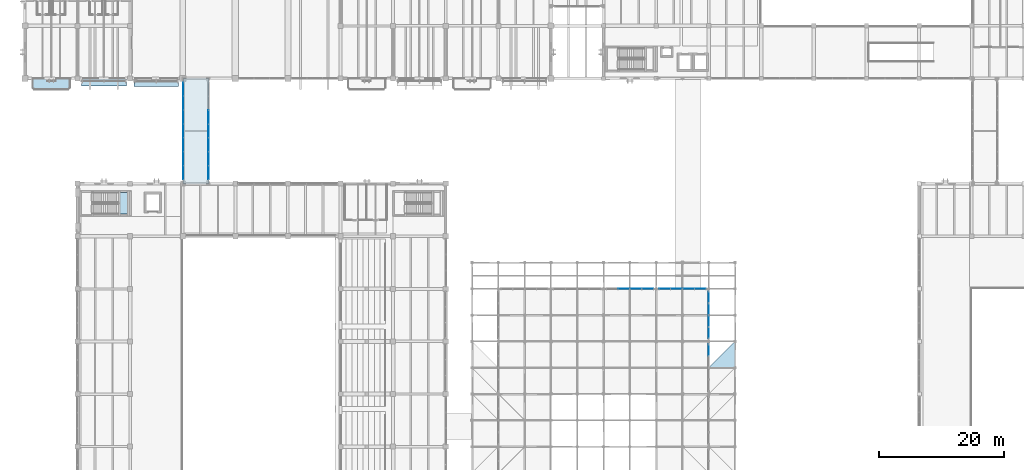
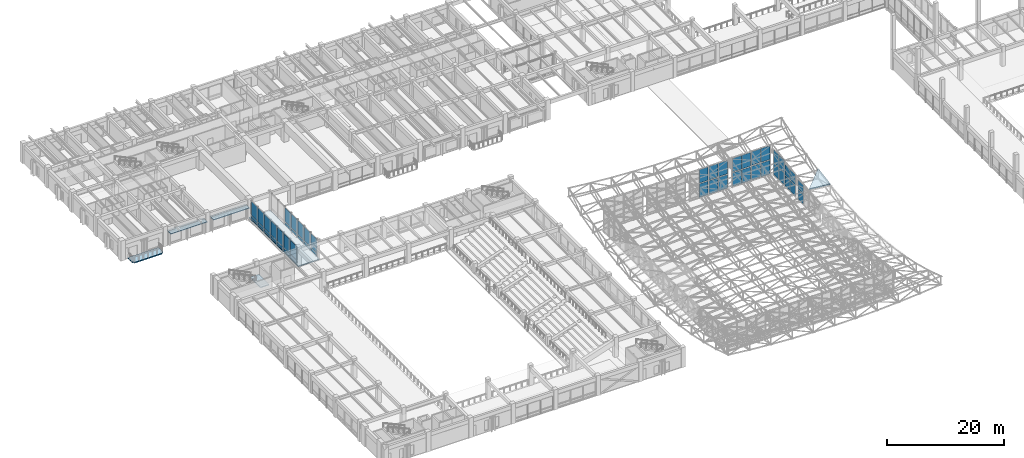
# One storey, part 65 of 132: 50 plates, 4 slabs, 12 elements without a shape of their own.
"""IFC4 building model written with IfcOpenShell, lengths in metres."""

from ifc_helpers import new_model, si_unit, direction, frame, origin, origin_2d, place, context, subcontext, project, spatial, polyline, rectangle, outline, extrude, material, layer, layer_set, type_object, element, aggregate, save


model = new_model("IFC4")

# Units and contexts
model_context = context("Model", 3, precision=1e-05, world=origin(), true_north=direction((0.0, 1.0)))
body_context = subcontext(model_context, "Body", "Model", "MODEL_VIEW")
ifc_project = project(units=[si_unit("LENGTHUNIT", "METRE"), si_unit("AREAUNIT", "SQUARE_METRE"), si_unit("VOLUMEUNIT", "CUBIC_METRE"), si_unit("PLANEANGLEUNIT", "RADIAN"), si_unit("MASSUNIT", "GRAM", prefix="KILO")], contexts=[model_context])

# Site, building, storey
site_placement = place(None, origin())
site = spatial("IfcSite", under=ifc_project, at=site_placement, CompositionType="ELEMENT")
building_placement = place(site_placement, origin())
building = spatial("IfcBuilding", under=site, at=building_placement, Name="Cumbredor Promenade Congress Hotel", CompositionType="ELEMENT")
storey_placement = place(building_placement, frame((0.0, 0.0, 7.56005859375)))
storey = spatial("IfcBuildingStorey", under=building, at=storey_placement, Name="L02", CompositionType="ELEMENT", Elevation=7.56005859375)

# Slab
ifc_material_1 = material(Name="Concrete C40/50", Category="concrete")
ifc_layer_1 = layer(ifc_material_1, 0.215087890625, Name="Concrete C40/50", Category="concrete")
ifc_layer_set_1 = layer_set([ifc_layer_1], Name="Concrete C40/50")
slab_type_1 = type_object("IfcSlabType", Name="Cantilevered Guestroom Balcony Slab 215mm", PredefinedType="FLOOR", material=ifc_layer_set_1)
slab_1_placement = place(storey_placement, frame((0.0, 0.0, -0.215087890625)))
element("IfcSlab", 1, at=slab_1_placement, inside=storey, type_object=slab_type_1, Name="L02 Cantilevered Guestroom Veranda Balcony 009", PredefinedType="FLOOR", context=body_context, shape_type="SweptSolid", body=[
    extrude(outline(polyline([(1.5, 82.14990234375), (6.89990234375, 82.14990234375), (7.25, 82.5), (7.25, 84.0), (1.14990234375, 84.0), (1.14990234375, 82.5), (1.5, 82.14990234375)])), origin(), (0.0, 0.0, 1.0), 0.215087890625),
])

# Curtain wall, plates
ifc_material_2 = material(Name="Thermally broken anodized aluminium and low-E glass", Category="aluminium")
curtain_wall_type_1 = type_object("IfcCurtainWallType", Name="Stepped Pavilion Clerestory Curtain Wall CW-06", PredefinedType="NOTDEFINED", material=ifc_material_2)
curtain_wall_1_placement = place(storey_placement, origin())
curtain_wall_1 = element("IfcCurtainWall", 2, at=curtain_wall_1_placement, inside=storey, type_object=curtain_wall_type_1, Name="Thermal Spa and Hydrotherapy Pavilion N Glazed Clerestory 5", PredefinedType="NOTDEFINED")
ifc_material_3 = material(Name="Laminated low-E solar-control glass", Category="glass")
ifc_layer_2 = layer(ifc_material_3, 0.031982421875, Name="Laminated low-E solar-control glass", Category="glass")
ifc_layer_set_2 = layer_set([ifc_layer_2], Name="Laminated low-E solar-control glass")
plate_type_1 = type_object("IfcPlateType", Name="Clerestory Glazed Vision Panel PNL-07", PredefinedType="CURTAIN_PANEL", material=ifc_layer_set_2)
plate_1_placement = place(storey_placement, frame((95.6298828125, 50.39990234375, 0.169921875), z_axis=(0.0, 0.0, 1.0), x_axis=(1.0, 0.0, 0.0)))
plate_1 = element("IfcPlate", 3, at=plate_1_placement, type_object=plate_type_1, Name="Thermal Spa and Hydrotherapy Pavilion N Glazed Clerestory 5 Glazing Panel 2.1", PredefinedType="CURTAIN_PANEL", context=body_context, shape_type="SweptSolid", body=[
    extrude(rectangle(XDim=1.77490234375, YDim=0.031982421875, at=origin_2d()), origin(), (0.0, 0.0, 1.0), 2.800048828125),
])
plate_2_placement = place(storey_placement, frame((95.6298828125, 50.39990234375, 3.14990234375), z_axis=(0.0, 0.0, 1.0), x_axis=(1.0, 0.0, 0.0)))
plate_2 = element("IfcPlate", 4, at=plate_2_placement, type_object=plate_type_1, Name="Thermal Spa and Hydrotherapy Pavilion N Glazed Clerestory 5 Glazing Panel 2.2", PredefinedType="CURTAIN_PANEL", context=body_context, shape_type="SweptSolid", body=[
    extrude(rectangle(XDim=1.77490234375, YDim=0.031982421875, at=origin_2d()), origin(), (0.0, 0.0, 1.0), 2.800048828125),
])
aggregate(curtain_wall_1, [plate_1, plate_2])

curtain_wall_2_placement = place(storey_placement, origin())
curtain_wall_2 = element("IfcCurtainWall", 5, at=curtain_wall_2_placement, inside=storey, type_object=curtain_wall_type_1, Name="Thermal Spa and Hydrotherapy Pavilion N Glazed Clerestory 6", PredefinedType="NOTDEFINED")
plate_3_placement = place(storey_placement, frame((97.570068359375, 50.39990234375, 0.169921875), z_axis=(0.0, 0.0, 1.0), x_axis=(1.0, 0.0, 0.0)))
plate_3 = element("IfcPlate", 6, at=plate_3_placement, type_object=plate_type_1, Name="Thermal Spa and Hydrotherapy Pavilion N Glazed Clerestory 6 Glazing Panel 1.1", PredefinedType="CURTAIN_PANEL", context=body_context, shape_type="SweptSolid", body=[
    extrude(rectangle(XDim=1.77490234375, YDim=0.031982421875, at=origin_2d()), origin(), (0.0, 0.0, 1.0), 2.81005859375),
])
plate_4_placement = place(storey_placement, frame((97.570068359375, 50.39990234375, 3.159912109375), z_axis=(0.0, 0.0, 1.0), x_axis=(1.0, 0.0, 0.0)))
plate_4 = element("IfcPlate", 7, at=plate_4_placement, type_object=plate_type_1, Name="Thermal Spa and Hydrotherapy Pavilion N Glazed Clerestory 6 Glazing Panel 1.2", PredefinedType="CURTAIN_PANEL", context=body_context, shape_type="SweptSolid", body=[
    extrude(rectangle(XDim=1.77490234375, YDim=0.031982421875, at=origin_2d()), origin(), (0.0, 0.0, 1.0), 2.81005859375),
])
plate_5_placement = place(storey_placement, frame((99.429931640625, 50.39990234375, 0.169921875), z_axis=(0.0, 0.0, 1.0), x_axis=(1.0, 0.0, 0.0)))
plate_5 = element("IfcPlate", 8, at=plate_5_placement, type_object=plate_type_1, Name="Thermal Spa and Hydrotherapy Pavilion N Glazed Clerestory 6 Glazing Panel 2.1", PredefinedType="CURTAIN_PANEL", context=body_context, shape_type="SweptSolid", body=[
    extrude(rectangle(XDim=1.77490234375, YDim=0.031982421875, at=origin_2d()), origin(), (0.0, 0.0, 1.0), 2.81005859375),
])
plate_6_placement = place(storey_placement, frame((99.429931640625, 50.39990234375, 3.159912109375), z_axis=(0.0, 0.0, 1.0), x_axis=(1.0, 0.0, 0.0)))
plate_6 = element("IfcPlate", 9, at=plate_6_placement, type_object=plate_type_1, Name="Thermal Spa and Hydrotherapy Pavilion N Glazed Clerestory 6 Glazing Panel 2.2", PredefinedType="CURTAIN_PANEL", context=body_context, shape_type="SweptSolid", body=[
    extrude(rectangle(XDim=1.77490234375, YDim=0.031982421875, at=origin_2d()), origin(), (0.0, 0.0, 1.0), 2.81005859375),
])
aggregate(curtain_wall_2, [plate_3, plate_4, plate_5, plate_6])

curtain_wall_3_placement = place(storey_placement, origin())
curtain_wall_3 = element("IfcCurtainWall", 10, at=curtain_wall_3_placement, inside=storey, type_object=curtain_wall_type_1, Name="Thermal Spa and Hydrotherapy Pavilion N Glazed Clerestory 7", PredefinedType="NOTDEFINED")
plate_7_placement = place(storey_placement, frame((102.169921875, 50.39990234375, 0.169921875), z_axis=(0.0, 0.0, 1.0), x_axis=(1.0, 0.0, 0.0)))
plate_7 = element("IfcPlate", 11, at=plate_7_placement, type_object=plate_type_1, Name="Thermal Spa and Hydrotherapy Pavilion N Glazed Clerestory 7 Glazing Panel 1.1", PredefinedType="CURTAIN_PANEL", context=body_context, shape_type="SweptSolid", body=[
    extrude(rectangle(XDim=1.77490234375, YDim=0.031982421875, at=origin_2d()), origin(), (0.0, 0.0, 1.0), 2.830078125),
])
plate_8_placement = place(storey_placement, frame((102.169921875, 50.39990234375, 3.1796875), z_axis=(0.0, 0.0, 1.0), x_axis=(1.0, 0.0, 0.0)))
plate_8 = element("IfcPlate", 12, at=plate_8_placement, type_object=plate_type_1, Name="Thermal Spa and Hydrotherapy Pavilion N Glazed Clerestory 7 Glazing Panel 1.2", PredefinedType="CURTAIN_PANEL", context=body_context, shape_type="SweptSolid", body=[
    extrude(rectangle(XDim=1.77490234375, YDim=0.031982421875, at=origin_2d()), origin(), (0.0, 0.0, 1.0), 2.840087890625),
])
plate_9_placement = place(storey_placement, frame((104.030029296875, 50.39990234375, 0.169921875), z_axis=(0.0, 0.0, 1.0), x_axis=(1.0, 0.0, 0.0)))
plate_9 = element("IfcPlate", 13, at=plate_9_placement, type_object=plate_type_1, Name="Thermal Spa and Hydrotherapy Pavilion N Glazed Clerestory 7 Glazing Panel 2.1", PredefinedType="CURTAIN_PANEL", context=body_context, shape_type="SweptSolid", body=[
    extrude(rectangle(XDim=1.77490234375, YDim=0.031982421875, at=origin_2d()), origin(), (0.0, 0.0, 1.0), 2.830078125),
])
plate_10_placement = place(storey_placement, frame((104.030029296875, 50.39990234375, 3.1796875), z_axis=(0.0, 0.0, 1.0), x_axis=(1.0, 0.0, 0.0)))
plate_10 = element("IfcPlate", 14, at=plate_10_placement, type_object=plate_type_1, Name="Thermal Spa and Hydrotherapy Pavilion N Glazed Clerestory 7 Glazing Panel 2.2", PredefinedType="CURTAIN_PANEL", context=body_context, shape_type="SweptSolid", body=[
    extrude(rectangle(XDim=1.77490234375, YDim=0.031982421875, at=origin_2d()), origin(), (0.0, 0.0, 1.0), 2.840087890625),
])
aggregate(curtain_wall_3, [plate_7, plate_8, plate_9, plate_10])

curtain_wall_4_placement = place(storey_placement, origin())
curtain_wall_4 = element("IfcCurtainWall", 15, at=curtain_wall_4_placement, inside=storey, type_object=curtain_wall_type_1, Name="Thermal Spa and Hydrotherapy Pavilion N Glazed Clerestory 8", PredefinedType="NOTDEFINED")
plate_11_placement = place(storey_placement, frame((105.969970703125, 50.39990234375, 0.169921875), z_axis=(0.0, 0.0, 1.0), x_axis=(1.0, 0.0, 0.0)))
plate_11 = element("IfcPlate", 16, at=plate_11_placement, type_object=plate_type_1, Name="Thermal Spa and Hydrotherapy Pavilion N Glazed Clerestory 8 Glazing Panel 1.1", PredefinedType="CURTAIN_PANEL", context=body_context, shape_type="SweptSolid", body=[
    extrude(rectangle(XDim=1.77490234375, YDim=0.031982421875, at=origin_2d()), origin(), (0.0, 0.0, 1.0), 2.8798828125),
])
plate_12_placement = place(storey_placement, frame((105.969970703125, 50.39990234375, 3.22998046875), z_axis=(0.0, 0.0, 1.0), x_axis=(1.0, 0.0, 0.0)))
plate_12 = element("IfcPlate", 17, at=plate_12_placement, type_object=plate_type_1, Name="Thermal Spa and Hydrotherapy Pavilion N Glazed Clerestory 8 Glazing Panel 1.2", PredefinedType="CURTAIN_PANEL", context=body_context, shape_type="SweptSolid", body=[
    extrude(rectangle(XDim=1.77490234375, YDim=0.031982421875, at=origin_2d()), origin(), (0.0, 0.0, 1.0), 2.8798828125),
])
plate_13_placement = place(storey_placement, frame((107.830078125, 50.39990234375, 0.169921875), z_axis=(0.0, 0.0, 1.0), x_axis=(1.0, 0.0, 0.0)))
plate_13 = element("IfcPlate", 18, at=plate_13_placement, type_object=plate_type_1, Name="Thermal Spa and Hydrotherapy Pavilion N Glazed Clerestory 8 Glazing Panel 2.1", PredefinedType="CURTAIN_PANEL", context=body_context, shape_type="SweptSolid", body=[
    extrude(rectangle(XDim=1.77490234375, YDim=0.031982421875, at=origin_2d()), origin(), (0.0, 0.0, 1.0), 2.8798828125),
])
plate_14_placement = place(storey_placement, frame((107.830078125, 50.39990234375, 3.22998046875), z_axis=(0.0, 0.0, 1.0), x_axis=(1.0, 0.0, 0.0)))
plate_14 = element("IfcPlate", 19, at=plate_14_placement, type_object=plate_type_1, Name="Thermal Spa and Hydrotherapy Pavilion N Glazed Clerestory 8 Glazing Panel 2.2", PredefinedType="CURTAIN_PANEL", context=body_context, shape_type="SweptSolid", body=[
    extrude(rectangle(XDim=1.77490234375, YDim=0.031982421875, at=origin_2d()), origin(), (0.0, 0.0, 1.0), 2.8798828125),
])
aggregate(curtain_wall_4, [plate_11, plate_12, plate_13, plate_14])

curtain_wall_5_placement = place(storey_placement, origin())
curtain_wall_5 = element("IfcCurtainWall", 20, at=curtain_wall_5_placement, inside=storey, type_object=curtain_wall_type_1, Name="Thermal Spa and Hydrotherapy Pavilion E Glazed Clerestory 8", PredefinedType="NOTDEFINED")
plate_15_placement = place(storey_placement, frame((109.199951171875, 40.6298828125, 0.169921875), z_axis=(0.0, 0.0, 1.0), x_axis=(0.0, 1.0, 0.0)))
plate_15 = element("IfcPlate", 21, at=plate_15_placement, type_object=plate_type_1, Name="Thermal Spa and Hydrotherapy Pavilion E Glazed Clerestory 8 Glazing Panel 2.1", PredefinedType="CURTAIN_PANEL", context=body_context, shape_type="SweptSolid", body=[
    extrude(rectangle(XDim=1.77490234375, YDim=0.031982421875, at=origin_2d()), origin(), (0.0, 0.0, 1.0), 1.8798828125),
])
plate_16_placement = place(storey_placement, frame((109.199951171875, 40.6298828125, 2.22998046875), z_axis=(0.0, 0.0, 1.0), x_axis=(0.0, 1.0, 0.0)))
plate_16 = element("IfcPlate", 22, at=plate_16_placement, type_object=plate_type_1, Name="Thermal Spa and Hydrotherapy Pavilion E Glazed Clerestory 8 Glazing Panel 2.2", PredefinedType="CURTAIN_PANEL", context=body_context, shape_type="SweptSolid", body=[
    extrude(rectangle(XDim=1.77490234375, YDim=0.031982421875, at=origin_2d()), origin(), (0.0, 0.0, 1.0), 1.8798828125),
])
aggregate(curtain_wall_5, [plate_15, plate_16])

curtain_wall_6_placement = place(storey_placement, origin())
curtain_wall_6 = element("IfcCurtainWall", 23, at=curtain_wall_6_placement, inside=storey, type_object=curtain_wall_type_1, Name="Thermal Spa and Hydrotherapy Pavilion E Glazed Clerestory 9", PredefinedType="NOTDEFINED")
plate_17_placement = place(storey_placement, frame((109.199951171875, 43.3701171875, 0.169921875), z_axis=(0.0, 0.0, 1.0), x_axis=(0.0, 1.0, 0.0)))
plate_17 = element("IfcPlate", 24, at=plate_17_placement, type_object=plate_type_1, Name="Thermal Spa and Hydrotherapy Pavilion E Glazed Clerestory 9 Glazing Panel 1.1", PredefinedType="CURTAIN_PANEL", context=body_context, shape_type="SweptSolid", body=[
    extrude(rectangle(XDim=1.77490234375, YDim=0.031982421875, at=origin_2d()), origin(), (0.0, 0.0, 1.0), 2.139892578125),
])
plate_18_placement = place(storey_placement, frame((109.199951171875, 43.3701171875, 2.489990234375), z_axis=(0.0, 0.0, 1.0), x_axis=(0.0, 1.0, 0.0)))
plate_18 = element("IfcPlate", 25, at=plate_18_placement, type_object=plate_type_1, Name="Thermal Spa and Hydrotherapy Pavilion E Glazed Clerestory 9 Glazing Panel 1.2", PredefinedType="CURTAIN_PANEL", context=body_context, shape_type="SweptSolid", body=[
    extrude(rectangle(XDim=1.77490234375, YDim=0.031982421875, at=origin_2d()), origin(), (0.0, 0.0, 1.0), 2.14990234375),
])
plate_19_placement = place(storey_placement, frame((109.199951171875, 45.22998046875, 0.169921875), z_axis=(0.0, 0.0, 1.0), x_axis=(0.0, 1.0, 0.0)))
plate_19 = element("IfcPlate", 26, at=plate_19_placement, type_object=plate_type_1, Name="Thermal Spa and Hydrotherapy Pavilion E Glazed Clerestory 9 Glazing Panel 2.1", PredefinedType="CURTAIN_PANEL", context=body_context, shape_type="SweptSolid", body=[
    extrude(rectangle(XDim=1.77490234375, YDim=0.031982421875, at=origin_2d()), origin(), (0.0, 0.0, 1.0), 2.139892578125),
])
plate_20_placement = place(storey_placement, frame((109.199951171875, 45.22998046875, 2.489990234375), z_axis=(0.0, 0.0, 1.0), x_axis=(0.0, 1.0, 0.0)))
plate_20 = element("IfcPlate", 27, at=plate_20_placement, type_object=plate_type_1, Name="Thermal Spa and Hydrotherapy Pavilion E Glazed Clerestory 9 Glazing Panel 2.2", PredefinedType="CURTAIN_PANEL", context=body_context, shape_type="SweptSolid", body=[
    extrude(rectangle(XDim=1.77490234375, YDim=0.031982421875, at=origin_2d()), origin(), (0.0, 0.0, 1.0), 2.14990234375),
])
aggregate(curtain_wall_6, [plate_17, plate_18, plate_19, plate_20])

curtain_wall_7_placement = place(storey_placement, origin())
curtain_wall_7 = element("IfcCurtainWall", 28, at=curtain_wall_7_placement, inside=storey, type_object=curtain_wall_type_1, Name="Thermal Spa and Hydrotherapy Pavilion E Glazed Clerestory 10", PredefinedType="NOTDEFINED")
plate_21_placement = place(storey_placement, frame((109.199951171875, 47.169921875, 0.169921875), z_axis=(0.0, 0.0, 1.0), x_axis=(0.0, 1.0, 0.0)))
plate_21 = element("IfcPlate", 29, at=plate_21_placement, type_object=plate_type_1, Name="Thermal Spa and Hydrotherapy Pavilion E Glazed Clerestory 10 Glazing Panel 1.1", PredefinedType="CURTAIN_PANEL", context=body_context, shape_type="SweptSolid", body=[
    extrude(rectangle(XDim=1.77490234375, YDim=0.031982421875, at=origin_2d()), origin(), (0.0, 0.0, 1.0), 2.489990234375),
])
plate_22_placement = place(storey_placement, frame((109.199951171875, 47.169921875, 2.83984375), z_axis=(0.0, 0.0, 1.0), x_axis=(0.0, 1.0, 0.0)))
plate_22 = element("IfcPlate", 30, at=plate_22_placement, type_object=plate_type_1, Name="Thermal Spa and Hydrotherapy Pavilion E Glazed Clerestory 10 Glazing Panel 1.2", PredefinedType="CURTAIN_PANEL", context=body_context, shape_type="SweptSolid", body=[
    extrude(rectangle(XDim=1.77490234375, YDim=0.031982421875, at=origin_2d()), origin(), (0.0, 0.0, 1.0), 2.5),
])
plate_23_placement = place(storey_placement, frame((109.199951171875, 49.030029296875, 0.169921875), z_axis=(0.0, 0.0, 1.0), x_axis=(0.0, 1.0, 0.0)))
plate_23 = element("IfcPlate", 31, at=plate_23_placement, type_object=plate_type_1, Name="Thermal Spa and Hydrotherapy Pavilion E Glazed Clerestory 10 Glazing Panel 2.1", PredefinedType="CURTAIN_PANEL", context=body_context, shape_type="SweptSolid", body=[
    extrude(rectangle(XDim=1.77490234375, YDim=0.031982421875, at=origin_2d()), origin(), (0.0, 0.0, 1.0), 2.489990234375),
])
plate_24_placement = place(storey_placement, frame((109.199951171875, 49.030029296875, 2.83984375), z_axis=(0.0, 0.0, 1.0), x_axis=(0.0, 1.0, 0.0)))
plate_24 = element("IfcPlate", 32, at=plate_24_placement, type_object=plate_type_1, Name="Thermal Spa and Hydrotherapy Pavilion E Glazed Clerestory 10 Glazing Panel 2.2", PredefinedType="CURTAIN_PANEL", context=body_context, shape_type="SweptSolid", body=[
    extrude(rectangle(XDim=1.77490234375, YDim=0.031982421875, at=origin_2d()), origin(), (0.0, 0.0, 1.0), 2.5),
])
aggregate(curtain_wall_7, [plate_21, plate_22, plate_23, plate_24])

# Stair, slab
stair_type = type_object("IfcStairType", Name="Protected Dog-Leg Exit Stair ST-T3 1650mm", PredefinedType="HALF_TURN_STAIR", material=ifc_material_1)
stair_placement = place(storey_placement, origin())
stair = element("IfcStair", 33, at=stair_placement, inside=storey, type_object=stair_type, Name="L02 Protected Exit Stair ST-06", PredefinedType="HALF_TURN_STAIR")
ifc_layer_3 = layer(ifc_material_1, 0.199951171875, Name="Concrete C40/50", Category="concrete")
ifc_layer_set_3 = layer_set([ifc_layer_3], Name="Concrete C40/50")
slab_type_2 = type_object("IfcSlabType", Name="Concrete Stair Landing Slab 200mm", PredefinedType="LANDING", material=ifc_layer_set_3)
slab_2_placement = place(storey_placement, frame((0.0, 0.0, 1.89990234375)))
slab_2 = element("IfcSlab", 34, at=slab_2_placement, type_object=slab_type_2, Name="ST-06 landing 1", PredefinedType="LANDING", context=body_context, shape_type="SweptSolid", body=[
    extrude(outline(polyline([(14.949951171875, 62.35009765625), (16.64990234375, 62.35009765625), (16.64990234375, 65.800048828125), (14.949951171875, 65.800048828125), (14.949951171875, 62.35009765625)])), origin(), (0.0, 0.0, 1.0), 0.199951171875),
])
aggregate(stair, [slab_2])

# Curtain wall, plates
curtain_wall_type_2 = type_object("IfcCurtainWallType", Name="Unitised Bridge Glazing Screen CW-05", PredefinedType="NOTDEFINED", material=ifc_material_2)
curtain_wall_8_placement = place(storey_placement, origin())
curtain_wall_8 = element("IfcCurtainWall", 35, at=curtain_wall_8_placement, inside=storey, type_object=curtain_wall_type_2, Name="L02 West Congress-to-Hotel Glazed Bridge West Glazing Screen", PredefinedType="NOTDEFINED")
ifc_layer_4 = layer(ifc_material_3, 0.030029296875, Name="Laminated low-E solar-control glass", Category="glass")
ifc_layer_set_4 = layer_set([ifc_layer_4], Name="Laminated low-E solar-control glass")
plate_type_2 = type_object("IfcPlateType", Name="Glazed Bridge Panel PNL-04", PredefinedType="CURTAIN_PANEL", material=ifc_layer_set_4)
plate_25_placement = place(storey_placement, frame((25.280029296875, 68.9658203125, 0.78515625), z_axis=(0.0, 0.0, 1.0), x_axis=(0.0, 1.0, 0.0)))
plate_25 = element("IfcPlate", 36, at=plate_25_placement, type_object=plate_type_2, Name="L02 West Congress-to-Hotel Glazed Bridge West Glazing Screen Glazing Panel 1.2", PredefinedType="CURTAIN_PANEL", context=body_context, shape_type="SweptSolid", body=[
    extrude(rectangle(XDim=2.146484375, YDim=0.030029296875, at=origin_2d()), origin(), (0.0, 0.0, 1.0), 2.909912109375),
])
plate_26_placement = place(storey_placement, frame((25.280029296875, 71.177001953125, 0.78515625), z_axis=(0.0, 0.0, 1.0), x_axis=(0.0, 1.0, 0.0)))
plate_26 = element("IfcPlate", 37, at=plate_26_placement, type_object=plate_type_2, Name="L02 West Congress-to-Hotel Glazed Bridge West Glazing Screen Glazing Panel 2.2", PredefinedType="CURTAIN_PANEL", context=body_context, shape_type="SweptSolid", body=[
    extrude(rectangle(XDim=2.146484375, YDim=0.030029296875, at=origin_2d()), origin(), (0.0, 0.0, 1.0), 2.909912109375),
])
plate_27_placement = place(storey_placement, frame((25.280029296875, 73.388671875, 0.78515625), z_axis=(0.0, 0.0, 1.0), x_axis=(0.0, 1.0, 0.0)))
plate_27 = element("IfcPlate", 38, at=plate_27_placement, type_object=plate_type_2, Name="L02 West Congress-to-Hotel Glazed Bridge West Glazing Screen Glazing Panel 3.2", PredefinedType="CURTAIN_PANEL", context=body_context, shape_type="SweptSolid", body=[
    extrude(rectangle(XDim=2.146484375, YDim=0.030029296875, at=origin_2d()), origin(), (0.0, 0.0, 1.0), 2.909912109375),
])
plate_28_placement = place(storey_placement, frame((25.280029296875, 75.60009765625, 0.78515625), z_axis=(0.0, 0.0, 1.0), x_axis=(0.0, 1.0, 0.0)))
plate_28 = element("IfcPlate", 39, at=plate_28_placement, type_object=plate_type_2, Name="L02 West Congress-to-Hotel Glazed Bridge West Glazing Screen Glazing Panel 4.2", PredefinedType="CURTAIN_PANEL", context=body_context, shape_type="SweptSolid", body=[
    extrude(rectangle(XDim=2.146484375, YDim=0.030029296875, at=origin_2d()), origin(), (0.0, 0.0, 1.0), 2.909912109375),
])
plate_29_placement = place(storey_placement, frame((25.280029296875, 77.811279296875, 0.78515625), z_axis=(0.0, 0.0, 1.0), x_axis=(0.0, 1.0, 0.0)))
plate_29 = element("IfcPlate", 40, at=plate_29_placement, type_object=plate_type_2, Name="L02 West Congress-to-Hotel Glazed Bridge West Glazing Screen Glazing Panel 5.2", PredefinedType="CURTAIN_PANEL", context=body_context, shape_type="SweptSolid", body=[
    extrude(rectangle(XDim=2.146484375, YDim=0.030029296875, at=origin_2d()), origin(), (0.0, 0.0, 1.0), 2.909912109375),
])
plate_30_placement = place(storey_placement, frame((25.280029296875, 80.02294921875, 0.78515625), z_axis=(0.0, 0.0, 1.0), x_axis=(0.0, 1.0, 0.0)))
plate_30 = element("IfcPlate", 41, at=plate_30_placement, type_object=plate_type_2, Name="L02 West Congress-to-Hotel Glazed Bridge West Glazing Screen Glazing Panel 6.2", PredefinedType="CURTAIN_PANEL", context=body_context, shape_type="SweptSolid", body=[
    extrude(rectangle(XDim=2.146484375, YDim=0.030029296875, at=origin_2d()), origin(), (0.0, 0.0, 1.0), 2.909912109375),
])
plate_31_placement = place(storey_placement, frame((25.280029296875, 82.234375, 0.78515625), z_axis=(0.0, 0.0, 1.0), x_axis=(0.0, 1.0, 0.0)))
plate_31 = element("IfcPlate", 42, at=plate_31_placement, type_object=plate_type_2, Name="L02 West Congress-to-Hotel Glazed Bridge West Glazing Screen Glazing Panel 7.2", PredefinedType="CURTAIN_PANEL", context=body_context, shape_type="SweptSolid", body=[
    extrude(rectangle(XDim=2.146484375, YDim=0.030029296875, at=origin_2d()), origin(), (0.0, 0.0, 1.0), 2.909912109375),
])

curtain_wall_9_placement = place(storey_placement, origin())
curtain_wall_9 = element("IfcCurtainWall", 43, at=curtain_wall_9_placement, inside=storey, type_object=curtain_wall_type_2, Name="L02 West Congress-to-Hotel Glazed Bridge East Glazing Screen", PredefinedType="NOTDEFINED")
plate_32_placement = place(storey_placement, frame((29.320068359375, 68.9658203125, 0.78515625), z_axis=(0.0, 0.0, 1.0), x_axis=(0.0, 1.0, 0.0)))
plate_32 = element("IfcPlate", 44, at=plate_32_placement, type_object=plate_type_2, Name="L02 West Congress-to-Hotel Glazed Bridge East Glazing Screen Glazing Panel 1.2", PredefinedType="CURTAIN_PANEL", context=body_context, shape_type="SweptSolid", body=[
    extrude(rectangle(XDim=2.146484375, YDim=0.030029296875, at=origin_2d()), origin(), (0.0, 0.0, 1.0), 2.909912109375),
])
plate_33_placement = place(storey_placement, frame((29.320068359375, 71.177001953125, 0.78515625), z_axis=(0.0, 0.0, 1.0), x_axis=(0.0, 1.0, 0.0)))
plate_33 = element("IfcPlate", 45, at=plate_33_placement, type_object=plate_type_2, Name="L02 West Congress-to-Hotel Glazed Bridge East Glazing Screen Glazing Panel 2.2", PredefinedType="CURTAIN_PANEL", context=body_context, shape_type="SweptSolid", body=[
    extrude(rectangle(XDim=2.146484375, YDim=0.030029296875, at=origin_2d()), origin(), (0.0, 0.0, 1.0), 2.909912109375),
])
plate_34_placement = place(storey_placement, frame((29.320068359375, 73.388671875, 0.78515625), z_axis=(0.0, 0.0, 1.0), x_axis=(0.0, 1.0, 0.0)))
plate_34 = element("IfcPlate", 46, at=plate_34_placement, type_object=plate_type_2, Name="L02 West Congress-to-Hotel Glazed Bridge East Glazing Screen Glazing Panel 3.2", PredefinedType="CURTAIN_PANEL", context=body_context, shape_type="SweptSolid", body=[
    extrude(rectangle(XDim=2.146484375, YDim=0.030029296875, at=origin_2d()), origin(), (0.0, 0.0, 1.0), 2.909912109375),
])
plate_35_placement = place(storey_placement, frame((29.320068359375, 75.60009765625, 0.78515625), z_axis=(0.0, 0.0, 1.0), x_axis=(0.0, 1.0, 0.0)))
plate_35 = element("IfcPlate", 47, at=plate_35_placement, type_object=plate_type_2, Name="L02 West Congress-to-Hotel Glazed Bridge East Glazing Screen Glazing Panel 4.2", PredefinedType="CURTAIN_PANEL", context=body_context, shape_type="SweptSolid", body=[
    extrude(rectangle(XDim=2.146484375, YDim=0.030029296875, at=origin_2d()), origin(), (0.0, 0.0, 1.0), 2.909912109375),
])
plate_36_placement = place(storey_placement, frame((29.320068359375, 77.811279296875, 0.78515625), z_axis=(0.0, 0.0, 1.0), x_axis=(0.0, 1.0, 0.0)))
plate_36 = element("IfcPlate", 48, at=plate_36_placement, type_object=plate_type_2, Name="L02 West Congress-to-Hotel Glazed Bridge East Glazing Screen Glazing Panel 5.2", PredefinedType="CURTAIN_PANEL", context=body_context, shape_type="SweptSolid", body=[
    extrude(rectangle(XDim=2.146484375, YDim=0.030029296875, at=origin_2d()), origin(), (0.0, 0.0, 1.0), 2.909912109375),
])

# Curtain wall, plate
curtain_wall_type_3 = type_object("IfcCurtainWallType", Name="Solar Brise-Soleil Screen Assembly CW-07", PredefinedType="NOTDEFINED", material=ifc_material_2)
curtain_wall_10_placement = place(storey_placement, origin())
curtain_wall_10 = element("IfcCurtainWall", 49, at=curtain_wall_10_placement, inside=storey, type_object=curtain_wall_type_3, Name="L02 Hospitality Brise-Soleil Screen 039", PredefinedType="NOTDEFINED")
ifc_material_4 = material(Name="Precast concrete C40/50", Category="concrete")
ifc_layer_5 = layer(ifc_material_4, 0.14501953125, Name="Precast concrete C40/50", Category="concrete")
ifc_layer_set_5 = layer_set([ifc_layer_5], Name="Precast concrete C40/50")
plate_type_3 = type_object("IfcPlateType", Name="Horizontal Precast Sun-Hood Eyebrow Plate 145mm", PredefinedType="USERDEFINED", material=ifc_layer_set_5)
plate_37_placement = place(storey_placement, frame((12.60009765625, 83.419921875, 2.824951171875), z_axis=(0.0, 0.0, 1.0), x_axis=(1.0, 0.0, 0.0)))
plate_37 = element("IfcPlate", 50, at=plate_37_placement, type_object=plate_type_3, Name="L02 Horizontal Sun-Hood Eyebrow 039", ObjectType="SUN HOOD", PredefinedType="USERDEFINED", context=body_context, shape_type="SweptSolid", body=[
    extrude(rectangle(XDim=7.197998046875, YDim=1.320068359375, at=origin_2d()), origin(), (0.0, 0.0, 1.0), 0.14501953125),
])
aggregate(curtain_wall_10, [plate_37])

curtain_wall_11_placement = place(storey_placement, origin())
curtain_wall_11 = element("IfcCurtainWall", 51, at=curtain_wall_11_placement, inside=storey, type_object=curtain_wall_type_3, Name="L02 Hospitality Brise-Soleil Screen 040", PredefinedType="NOTDEFINED")
plate_38_placement = place(storey_placement, frame((20.949951171875, 83.40869140625, 2.824951171875), z_axis=(0.0, 0.0, 1.0), x_axis=(1.0, 0.0, 0.0)))
plate_38 = element("IfcPlate", 52, at=plate_38_placement, type_object=plate_type_3, Name="L02 Horizontal Sun-Hood Eyebrow 040", ObjectType="SUN HOOD", PredefinedType="USERDEFINED", context=body_context, shape_type="SweptSolid", body=[
    extrude(rectangle(XDim=7.097900390625, YDim=1.342529296875, at=origin_2d()), origin(), (0.0, 0.0, 1.0), 0.14501953125),
])
aggregate(curtain_wall_11, [plate_38])

# Plate
ifc_material_5 = material(Name="Thermally broken anodized aluminium", Category="aluminium")
ifc_layer_6 = layer(ifc_material_5, 0.0400390625, Name="Thermally broken anodized aluminium", Category="aluminium")
ifc_layer_set_6 = layer_set([ifc_layer_6], Name="Thermally broken anodized aluminium")
plate_type_4 = type_object("IfcPlateType", Name="Insulated Spandrel Panel PNL-06", PredefinedType="CURTAIN_PANEL", material=ifc_layer_set_6)
plate_39_placement = place(storey_placement, frame((25.280029296875, 68.9658203125, 0.125), z_axis=(0.0, 0.0, 1.0), x_axis=(0.0, 1.0, 0.0)))
plate_39 = element("IfcPlate", 53, at=plate_39_placement, type_object=plate_type_4, Name="L02 West Congress-to-Hotel Glazed Bridge West Glazing Screen Spandrel Panel 1.1", PredefinedType="CURTAIN_PANEL", context=body_context, shape_type="SweptSolid", body=[
    extrude(rectangle(XDim=2.146484375, YDim=0.0400390625, at=origin_2d()), origin(), (0.0, 0.0, 1.0), 0.530029296875),
])

plate_40_placement = place(storey_placement, frame((25.280029296875, 71.177001953125, 0.125), z_axis=(0.0, 0.0, 1.0), x_axis=(0.0, 1.0, 0.0)))
plate_40 = element("IfcPlate", 54, at=plate_40_placement, type_object=plate_type_4, Name="L02 West Congress-to-Hotel Glazed Bridge West Glazing Screen Spandrel Panel 2.1", PredefinedType="CURTAIN_PANEL", context=body_context, shape_type="SweptSolid", body=[
    extrude(rectangle(XDim=2.146484375, YDim=0.0400390625, at=origin_2d()), origin(), (0.0, 0.0, 1.0), 0.530029296875),
])

plate_41_placement = place(storey_placement, frame((25.280029296875, 73.388671875, 0.125), z_axis=(0.0, 0.0, 1.0), x_axis=(0.0, 1.0, 0.0)))
plate_41 = element("IfcPlate", 55, at=plate_41_placement, type_object=plate_type_4, Name="L02 West Congress-to-Hotel Glazed Bridge West Glazing Screen Spandrel Panel 3.1", PredefinedType="CURTAIN_PANEL", context=body_context, shape_type="SweptSolid", body=[
    extrude(rectangle(XDim=2.146484375, YDim=0.0400390625, at=origin_2d()), origin(), (0.0, 0.0, 1.0), 0.530029296875),
])

plate_42_placement = place(storey_placement, frame((25.280029296875, 75.60009765625, 0.125), z_axis=(0.0, 0.0, 1.0), x_axis=(0.0, 1.0, 0.0)))
plate_42 = element("IfcPlate", 56, at=plate_42_placement, type_object=plate_type_4, Name="L02 West Congress-to-Hotel Glazed Bridge West Glazing Screen Spandrel Panel 4.1", PredefinedType="CURTAIN_PANEL", context=body_context, shape_type="SweptSolid", body=[
    extrude(rectangle(XDim=2.146484375, YDim=0.0400390625, at=origin_2d()), origin(), (0.0, 0.0, 1.0), 0.530029296875),
])

plate_43_placement = place(storey_placement, frame((25.280029296875, 77.811279296875, 0.125), z_axis=(0.0, 0.0, 1.0), x_axis=(0.0, 1.0, 0.0)))
plate_43 = element("IfcPlate", 57, at=plate_43_placement, type_object=plate_type_4, Name="L02 West Congress-to-Hotel Glazed Bridge West Glazing Screen Spandrel Panel 5.1", PredefinedType="CURTAIN_PANEL", context=body_context, shape_type="SweptSolid", body=[
    extrude(rectangle(XDim=2.146484375, YDim=0.0400390625, at=origin_2d()), origin(), (0.0, 0.0, 1.0), 0.530029296875),
])

plate_44_placement = place(storey_placement, frame((25.280029296875, 80.02294921875, 0.125), z_axis=(0.0, 0.0, 1.0), x_axis=(0.0, 1.0, 0.0)))
plate_44 = element("IfcPlate", 58, at=plate_44_placement, type_object=plate_type_4, Name="L02 West Congress-to-Hotel Glazed Bridge West Glazing Screen Spandrel Panel 6.1", PredefinedType="CURTAIN_PANEL", context=body_context, shape_type="SweptSolid", body=[
    extrude(rectangle(XDim=2.146484375, YDim=0.0400390625, at=origin_2d()), origin(), (0.0, 0.0, 1.0), 0.530029296875),
])

plate_45_placement = place(storey_placement, frame((25.280029296875, 82.234375, 0.125), z_axis=(0.0, 0.0, 1.0), x_axis=(0.0, 1.0, 0.0)))
plate_45 = element("IfcPlate", 59, at=plate_45_placement, type_object=plate_type_4, Name="L02 West Congress-to-Hotel Glazed Bridge West Glazing Screen Spandrel Panel 7.1", PredefinedType="CURTAIN_PANEL", context=body_context, shape_type="SweptSolid", body=[
    extrude(rectangle(XDim=2.146484375, YDim=0.0400390625, at=origin_2d()), origin(), (0.0, 0.0, 1.0), 0.530029296875),
])

aggregate(curtain_wall_8, [plate_39, plate_25, plate_40, plate_26, plate_41, plate_27, plate_42, plate_28, plate_43, plate_29, plate_44, plate_30, plate_45, plate_31])

plate_46_placement = place(storey_placement, frame((29.320068359375, 68.9658203125, 0.125), z_axis=(0.0, 0.0, 1.0), x_axis=(0.0, 1.0, 0.0)))
plate_46 = element("IfcPlate", 60, at=plate_46_placement, type_object=plate_type_4, Name="L02 West Congress-to-Hotel Glazed Bridge East Glazing Screen Spandrel Panel 1.1", PredefinedType="CURTAIN_PANEL", context=body_context, shape_type="SweptSolid", body=[
    extrude(rectangle(XDim=2.146484375, YDim=0.0400390625, at=origin_2d()), origin(), (0.0, 0.0, 1.0), 0.530029296875),
])

plate_47_placement = place(storey_placement, frame((29.320068359375, 71.177001953125, 0.125), z_axis=(0.0, 0.0, 1.0), x_axis=(0.0, 1.0, 0.0)))
plate_47 = element("IfcPlate", 61, at=plate_47_placement, type_object=plate_type_4, Name="L02 West Congress-to-Hotel Glazed Bridge East Glazing Screen Spandrel Panel 2.1", PredefinedType="CURTAIN_PANEL", context=body_context, shape_type="SweptSolid", body=[
    extrude(rectangle(XDim=2.146484375, YDim=0.0400390625, at=origin_2d()), origin(), (0.0, 0.0, 1.0), 0.530029296875),
])

plate_48_placement = place(storey_placement, frame((29.320068359375, 73.388671875, 0.125), z_axis=(0.0, 0.0, 1.0), x_axis=(0.0, 1.0, 0.0)))
plate_48 = element("IfcPlate", 62, at=plate_48_placement, type_object=plate_type_4, Name="L02 West Congress-to-Hotel Glazed Bridge East Glazing Screen Spandrel Panel 3.1", PredefinedType="CURTAIN_PANEL", context=body_context, shape_type="SweptSolid", body=[
    extrude(rectangle(XDim=2.146484375, YDim=0.0400390625, at=origin_2d()), origin(), (0.0, 0.0, 1.0), 0.530029296875),
])

plate_49_placement = place(storey_placement, frame((29.320068359375, 75.60009765625, 0.125), z_axis=(0.0, 0.0, 1.0), x_axis=(0.0, 1.0, 0.0)))
plate_49 = element("IfcPlate", 63, at=plate_49_placement, type_object=plate_type_4, Name="L02 West Congress-to-Hotel Glazed Bridge East Glazing Screen Spandrel Panel 4.1", PredefinedType="CURTAIN_PANEL", context=body_context, shape_type="SweptSolid", body=[
    extrude(rectangle(XDim=2.146484375, YDim=0.0400390625, at=origin_2d()), origin(), (0.0, 0.0, 1.0), 0.530029296875),
])

plate_50_placement = place(storey_placement, frame((29.320068359375, 77.811279296875, 0.125), z_axis=(0.0, 0.0, 1.0), x_axis=(0.0, 1.0, 0.0)))
plate_50 = element("IfcPlate", 64, at=plate_50_placement, type_object=plate_type_4, Name="L02 West Congress-to-Hotel Glazed Bridge East Glazing Screen Spandrel Panel 5.1", PredefinedType="CURTAIN_PANEL", context=body_context, shape_type="SweptSolid", body=[
    extrude(rectangle(XDim=2.146484375, YDim=0.0400390625, at=origin_2d()), origin(), (0.0, 0.0, 1.0), 0.530029296875),
])

aggregate(curtain_wall_9, [plate_46, plate_32, plate_47, plate_33, plate_48, plate_34, plate_49, plate_35, plate_50, plate_36])

# Slabs
ifc_layer_7 = layer(ifc_material_1, 0.219970703125, Name="Concrete C40/50", Category="concrete")
ifc_layer_set_7 = layer_set([ifc_layer_7], Name="Concrete C40/50")
slab_type_3 = type_object("IfcSlabType", Name="Link Bridge Deck Slab 220mm", PredefinedType="FLOOR", material=ifc_layer_set_7)
slab_3_placement = place(storey_placement, frame((0.0, 0.0, -0.219970703125)))
element("IfcSlab", 65, at=slab_3_placement, inside=storey, type_object=slab_type_3, Name="L02 West Congress-to-Hotel Glazed Bridge Floor Deck", PredefinedType="FLOOR", context=body_context, shape_type="SweptSolid", body=[
    extrude(outline(polyline([(25.199951171875, 67.199951171875), (29.39990234375, 67.199951171875), (29.39990234375, 74.800048828125), (29.050048828125, 74.800048828125), (29.050048828125, 76.39990234375), (29.39990234375, 76.39990234375), (29.39990234375, 84.0), (25.199951171875, 84.0), (25.199951171875, 67.199951171875)])), origin(), (0.0, 0.0, 1.0), 0.219970703125),
])
ifc_layer_8 = layer(ifc_material_1, 0.2451171875, Name="Concrete C40/50", Category="concrete")
ifc_layer_set_8 = layer_set([ifc_layer_8], Name="Concrete C40/50")
slab_type_4 = type_object("IfcSlabType", Name="Spa Catenary Roof Deck 245mm", PredefinedType="ROOF", material=ifc_layer_set_8)
slab_4_placement = place(storey_placement, frame((109.199951171875, 37.800048828125, 4.531494140625), z_axis=(0.092772837989, -0.156279075208, 0.983346353623), x_axis=(0.99557909429, 0.0, -0.093926923794)))
element("IfcSlab", 66, at=slab_4_placement, inside=storey, type_object=slab_type_4, Name="Thermal Spa and Hydrotherapy Pavilion Sweeping Roof Deck Facet 10.10.1", PredefinedType="ROOF", context=body_context, shape_type="SweptSolid", body=[
    extrude(outline(polyline([(0.0, 0.0), (4.218601210054317, -6.938893903907228e-18), (4.155906822931901, 4.252198188716073), (0.0, 0.0)])), origin(), (0.0, 0.0, -1.0), 0.2451171875),
])

save(model, "model.ifc")
